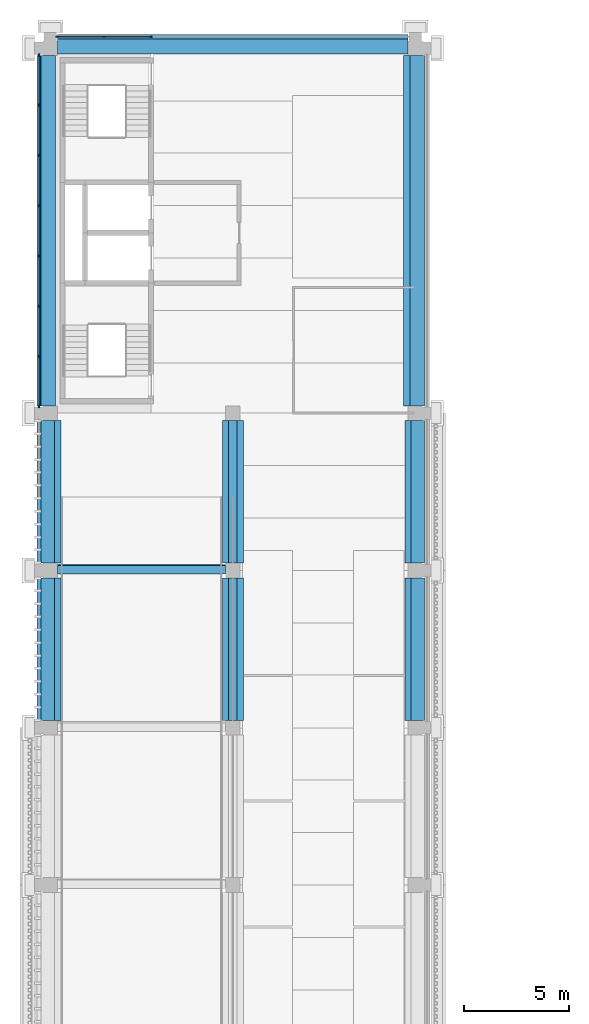
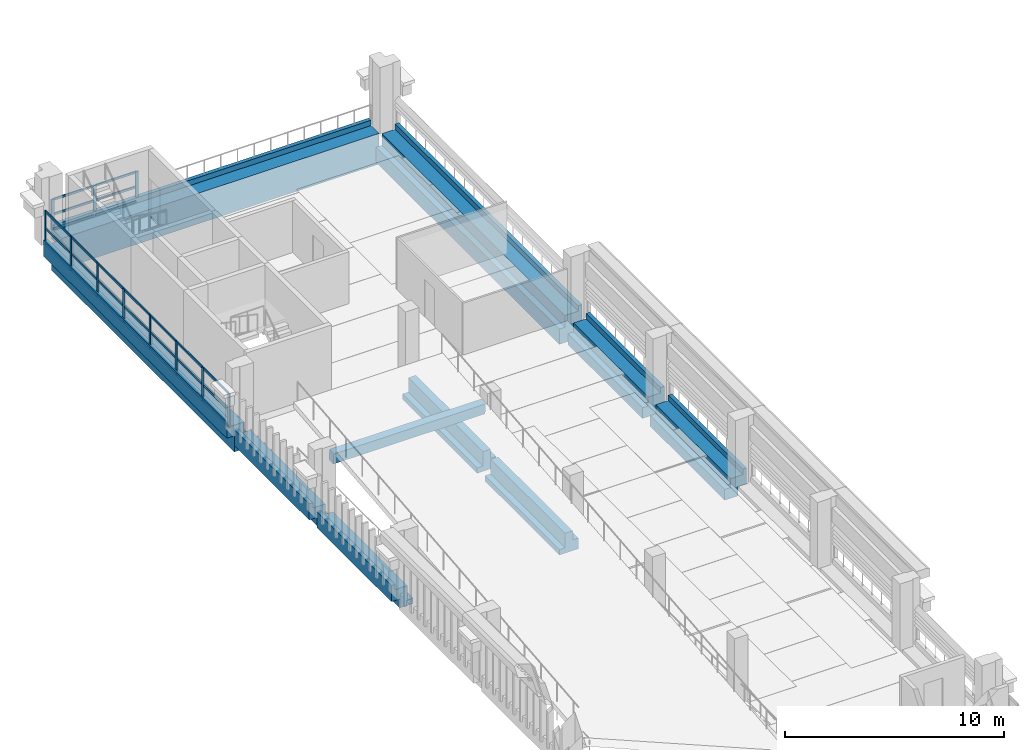
# One storey, part 3 of 25: 38 members, 10 beams, 2 elements without a shape of their own.
"""IFC4 building model written with IfcOpenShell, lengths in metres."""

from ifc_helpers import new_model, si_unit, direction, frame, origin, origin_2d, place, context, subcontext, project, spatial, polyline, rectangle, outline, extrude, material, layer, layer_set, material_profile, profile_set, type_object, element, aggregate, save


model = new_model("IFC4")

# Units and contexts
model_context = context("Model", 3, precision=1e-05, world=origin(), true_north=direction((0.0, 1.0)))
body_context = subcontext(model_context, "Body", "Model", "MODEL_VIEW")
ifc_project = project(units=[si_unit("LENGTHUNIT", "METRE"), si_unit("AREAUNIT", "SQUARE_METRE"), si_unit("VOLUMEUNIT", "CUBIC_METRE"), si_unit("PLANEANGLEUNIT", "RADIAN"), si_unit("MASSUNIT", "GRAM", prefix="KILO")], contexts=[model_context])

# Site, building, storey
site_placement = place(None, origin())
site = spatial("IfcSite", under=ifc_project, at=site_placement, CompositionType="ELEMENT")
building_placement = place(site_placement, origin())
building = spatial("IfcBuilding", under=site, at=building_placement, Name="Cour d'Honneur Mobility Palace", CompositionType="ELEMENT")
storey_placement = place(building_placement, frame((0.0, 0.0, 30.39990234375)))
storey = spatial("IfcBuildingStorey", under=building, at=storey_placement, Name="L08", CompositionType="ELEMENT", Elevation=30.39990234375)

# Curtain wall, members
ifc_material_1 = material(Name="Aluminium and glass", Category="aluminium")
ifc_layer = layer(ifc_material_1, 0.10009765625)
ifc_layer_set = layer_set([ifc_layer], Name="Aluminium and glass")
curtain_wall_type = type_object("IfcCurtainWallType", Name="Curtain wall run", PredefinedType="NOTDEFINED", material=ifc_layer_set)
curtain_wall_1_placement = place(storey_placement, origin())
curtain_wall_1 = element("IfcCurtainWall", 1, at=curtain_wall_1_placement, inside=storey, type_object=curtain_wall_type, Name="Curtain wall CW-110", PredefinedType="NOTDEFINED")
ifc_material_2 = material(Name="Aluminium", Category="aluminium")
ifc_material_profile_1 = material_profile(ifc_material_2, rectangle(XDim=0.06005859375, YDim=0.159912109375, at=origin_2d()), Name="Curtain wall mullion")
ifc_profile_set_1 = profile_set([ifc_material_profile_1], Name="Aluminium")
member_type_1 = type_object("IfcMemberType", Name="Curtain wall mullion", PredefinedType="MULLION", material=ifc_profile_set_1)
member_1_placement = place(storey_placement, frame((4.77001953125, 62.949951171875, 0.0), z_axis=(0.0, 0.0, 1.0), x_axis=(0.0, -1.0, 0.0)))
member_1 = element("IfcMember", 2, at=member_1_placement, type_object=member_type_1, Name="CW-110 mullion 1", PredefinedType="MULLION", context=body_context, shape_type="SweptSolid", body=[
    extrude(rectangle(XDim=0.06005859375, YDim=0.159912109375, at=origin_2d()), origin(), (0.0, 0.0, 1.0), 1.7001953125),
])
member_2_placement = place(storey_placement, frame((2.550048828125, 62.949951171875, 0.0), z_axis=(0.0, 0.0, 1.0), x_axis=(0.0, -1.0, 0.0)))
member_2 = element("IfcMember", 3, at=member_2_placement, type_object=member_type_1, Name="CW-110 mullion 2", PredefinedType="MULLION", context=body_context, shape_type="SweptSolid", body=[
    extrude(rectangle(XDim=0.06005859375, YDim=0.159912109375, at=origin_2d()), origin(), (0.0, 0.0, 1.0), 1.7001953125),
])
member_3_placement = place(storey_placement, frame((0.330078125, 62.949951171875, 0.0), z_axis=(0.0, 0.0, 1.0), x_axis=(0.0, -1.0, 0.0)))
member_3 = element("IfcMember", 4, at=member_3_placement, type_object=member_type_1, Name="CW-110 mullion 3", PredefinedType="MULLION", context=body_context, shape_type="SweptSolid", body=[
    extrude(rectangle(XDim=0.06005859375, YDim=0.159912109375, at=origin_2d()), origin(), (0.0, 0.0, 1.0), 1.7001953125),
])

curtain_wall_2_placement = place(storey_placement, origin())
curtain_wall_2 = element("IfcCurtainWall", 5, at=curtain_wall_2_placement, inside=storey, type_object=curtain_wall_type, Name="Curtain wall CW-111", PredefinedType="NOTDEFINED")
member_4_placement = place(storey_placement, frame((-0.550048828125, 62.070068359375, 0.0), z_axis=(0.0, 0.0, 1.0), x_axis=(1.0, 0.0, 0.0)))
member_4 = element("IfcMember", 6, at=member_4_placement, type_object=member_type_1, Name="CW-111 mullion 1", PredefinedType="MULLION", context=body_context, shape_type="SweptSolid", body=[
    extrude(rectangle(XDim=0.06005859375, YDim=0.159912109375, at=origin_2d()), origin(), (0.0, 0.0, 1.0), 1.900146484375),
])
member_5_placement = place(storey_placement, frame((-0.550048828125, 59.699951171875, 0.0), z_axis=(0.0, 0.0, 1.0), x_axis=(1.0, 0.0, 0.0)))
member_5 = element("IfcMember", 7, at=member_5_placement, type_object=member_type_1, Name="CW-111 mullion 2", PredefinedType="MULLION", context=body_context, shape_type="SweptSolid", body=[
    extrude(rectangle(XDim=0.06005859375, YDim=0.159912109375, at=origin_2d()), origin(), (0.0, 0.0, 1.0), 1.900146484375),
])
member_6_placement = place(storey_placement, frame((-0.550048828125, 57.300048828125, 0.0), z_axis=(0.0, 0.0, 1.0), x_axis=(1.0, 0.0, 0.0)))
member_6 = element("IfcMember", 8, at=member_6_placement, type_object=member_type_1, Name="CW-111 mullion 3", PredefinedType="MULLION", context=body_context, shape_type="SweptSolid", body=[
    extrude(rectangle(XDim=0.06005859375, YDim=0.159912109375, at=origin_2d()), origin(), (0.0, 0.0, 1.0), 1.900146484375),
])
member_7_placement = place(storey_placement, frame((-0.550048828125, 54.89990234375, 0.0), z_axis=(0.0, 0.0, 1.0), x_axis=(1.0, 0.0, 0.0)))
member_7 = element("IfcMember", 9, at=member_7_placement, type_object=member_type_1, Name="CW-111 mullion 4", PredefinedType="MULLION", context=body_context, shape_type="SweptSolid", body=[
    extrude(rectangle(XDim=0.06005859375, YDim=0.159912109375, at=origin_2d()), origin(), (0.0, 0.0, 1.0), 1.900146484375),
])
member_8_placement = place(storey_placement, frame((-0.550048828125, 52.5, 0.0), z_axis=(0.0, 0.0, 1.0), x_axis=(1.0, 0.0, 0.0)))
member_8 = element("IfcMember", 10, at=member_8_placement, type_object=member_type_1, Name="CW-111 mullion 5", PredefinedType="MULLION", context=body_context, shape_type="SweptSolid", body=[
    extrude(rectangle(XDim=0.06005859375, YDim=0.159912109375, at=origin_2d()), origin(), (0.0, 0.0, 1.0), 1.900146484375),
])
member_9_placement = place(storey_placement, frame((-0.550048828125, 50.10009765625, 0.0), z_axis=(0.0, 0.0, 1.0), x_axis=(1.0, 0.0, 0.0)))
member_9 = element("IfcMember", 11, at=member_9_placement, type_object=member_type_1, Name="CW-111 mullion 6", PredefinedType="MULLION", context=body_context, shape_type="SweptSolid", body=[
    extrude(rectangle(XDim=0.06005859375, YDim=0.159912109375, at=origin_2d()), origin(), (0.0, 0.0, 1.0), 1.900146484375),
])
member_10_placement = place(storey_placement, frame((-0.550048828125, 47.699951171875, 0.0), z_axis=(0.0, 0.0, 1.0), x_axis=(1.0, 0.0, 0.0)))
member_10 = element("IfcMember", 12, at=member_10_placement, type_object=member_type_1, Name="CW-111 mullion 7", PredefinedType="MULLION", context=body_context, shape_type="SweptSolid", body=[
    extrude(rectangle(XDim=0.06005859375, YDim=0.159912109375, at=origin_2d()), origin(), (0.0, 0.0, 1.0), 1.900146484375),
])
member_11_placement = place(storey_placement, frame((-0.550048828125, 45.330078125, 0.0), z_axis=(0.0, 0.0, 1.0), x_axis=(1.0, 0.0, 0.0)))
member_11 = element("IfcMember", 13, at=member_11_placement, type_object=member_type_1, Name="CW-111 mullion 8", PredefinedType="MULLION", context=body_context, shape_type="SweptSolid", body=[
    extrude(rectangle(XDim=0.06005859375, YDim=0.159912109375, at=origin_2d()), origin(), (0.0, 0.0, 1.0), 1.900146484375),
])

# Member
ifc_material_3 = material(Name="Aluminium", Category="aluminium")
ifc_material_profile_2 = material_profile(ifc_material_3, rectangle(XDim=0.06005859375, YDim=0.1201171875, at=origin_2d()), Name="Curtain wall transom")
ifc_profile_set_2 = profile_set([ifc_material_profile_2], Name="Aluminium")
member_type_2 = type_object("IfcMemberType", Name="Curtain wall transom", PredefinedType="USERDEFINED", material=ifc_profile_set_2)
member_12_placement = place(storey_placement, frame((4.739990234375, 62.949951171875, 0.030029296875), z_axis=(-1.0, 0.0, 0.0), x_axis=(0.0, -1.0, 0.0)))
member_12 = element("IfcMember", 14, at=member_12_placement, type_object=member_type_2, Name="CW-110 transom 1.1", ObjectType="TRANSOM", PredefinedType="USERDEFINED", context=body_context, shape_type="SweptSolid", body=[
    extrude(rectangle(XDim=0.06005859375, YDim=0.1201171875, at=origin_2d()), origin(), (0.0, 0.0, 1.0), 2.159912109375),
])

member_13_placement = place(storey_placement, frame((4.739990234375, 62.949951171875, 0.85009765625), z_axis=(-1.0, 0.0, 0.0), x_axis=(0.0, -1.0, 0.0)))
member_13 = element("IfcMember", 15, at=member_13_placement, type_object=member_type_2, Name="CW-110 transom 1.2", ObjectType="TRANSOM", PredefinedType="USERDEFINED", context=body_context, shape_type="SweptSolid", body=[
    extrude(rectangle(XDim=0.06005859375, YDim=0.1201171875, at=origin_2d()), origin(), (0.0, 0.0, 1.0), 2.159912109375),
])

member_14_placement = place(storey_placement, frame((4.739990234375, 62.949951171875, 1.670166015625), z_axis=(-1.0, 0.0, 0.0), x_axis=(0.0, -1.0, 0.0)))
member_14 = element("IfcMember", 16, at=member_14_placement, type_object=member_type_2, Name="CW-110 transom 1.3", ObjectType="TRANSOM", PredefinedType="USERDEFINED", context=body_context, shape_type="SweptSolid", body=[
    extrude(rectangle(XDim=0.06005859375, YDim=0.1201171875, at=origin_2d()), origin(), (0.0, 0.0, 1.0), 2.159912109375),
])

member_15_placement = place(storey_placement, frame((2.52001953125, 62.949951171875, 0.030029296875), z_axis=(-1.0, 0.0, 0.0), x_axis=(0.0, -1.0, 0.0)))
member_15 = element("IfcMember", 17, at=member_15_placement, type_object=member_type_2, Name="CW-110 transom 2.1", ObjectType="TRANSOM", PredefinedType="USERDEFINED", context=body_context, shape_type="SweptSolid", body=[
    extrude(rectangle(XDim=0.06005859375, YDim=0.1201171875, at=origin_2d()), origin(), (0.0, 0.0, 1.0), 2.159912109375),
])

member_16_placement = place(storey_placement, frame((2.52001953125, 62.949951171875, 0.85009765625), z_axis=(-1.0, 0.0, 0.0), x_axis=(0.0, -1.0, 0.0)))
member_16 = element("IfcMember", 18, at=member_16_placement, type_object=member_type_2, Name="CW-110 transom 2.2", ObjectType="TRANSOM", PredefinedType="USERDEFINED", context=body_context, shape_type="SweptSolid", body=[
    extrude(rectangle(XDim=0.06005859375, YDim=0.1201171875, at=origin_2d()), origin(), (0.0, 0.0, 1.0), 2.159912109375),
])

member_17_placement = place(storey_placement, frame((2.52001953125, 62.949951171875, 1.670166015625), z_axis=(-1.0, 0.0, 0.0), x_axis=(0.0, -1.0, 0.0)))
member_17 = element("IfcMember", 19, at=member_17_placement, type_object=member_type_2, Name="CW-110 transom 2.3", ObjectType="TRANSOM", PredefinedType="USERDEFINED", context=body_context, shape_type="SweptSolid", body=[
    extrude(rectangle(XDim=0.06005859375, YDim=0.1201171875, at=origin_2d()), origin(), (0.0, 0.0, 1.0), 2.159912109375),
])

aggregate(curtain_wall_1, [member_1, member_2, member_3, member_12, member_13, member_14, member_15, member_16, member_17])

member_18_placement = place(storey_placement, frame((-0.550048828125, 62.0400390625, 0.030029296875), z_axis=(0.0, -1.0, 0.0), x_axis=(1.0, 0.0, 0.0)))
member_18 = element("IfcMember", 20, at=member_18_placement, type_object=member_type_2, Name="CW-111 transom 1.1", ObjectType="TRANSOM", PredefinedType="USERDEFINED", context=body_context, shape_type="SweptSolid", body=[
    extrude(rectangle(XDim=0.06005859375, YDim=0.1201171875, at=origin_2d()), origin(), (0.0, 0.0, 1.0), 2.31005859375),
])

member_19_placement = place(storey_placement, frame((-0.550048828125, 62.0400390625, 0.9501953125), z_axis=(0.0, -1.0, 0.0), x_axis=(1.0, 0.0, 0.0)))
member_19 = element("IfcMember", 21, at=member_19_placement, type_object=member_type_2, Name="CW-111 transom 1.2", ObjectType="TRANSOM", PredefinedType="USERDEFINED", context=body_context, shape_type="SweptSolid", body=[
    extrude(rectangle(XDim=0.06005859375, YDim=0.1201171875, at=origin_2d()), origin(), (0.0, 0.0, 1.0), 2.31005859375),
])

member_20_placement = place(storey_placement, frame((-0.550048828125, 62.0400390625, 1.8701171875), z_axis=(0.0, -1.0, 0.0), x_axis=(1.0, 0.0, 0.0)))
member_20 = element("IfcMember", 22, at=member_20_placement, type_object=member_type_2, Name="CW-111 transom 1.3", ObjectType="TRANSOM", PredefinedType="USERDEFINED", context=body_context, shape_type="SweptSolid", body=[
    extrude(rectangle(XDim=0.06005859375, YDim=0.1201171875, at=origin_2d()), origin(), (0.0, 0.0, 1.0), 2.31005859375),
])

member_21_placement = place(storey_placement, frame((-0.550048828125, 59.669921875, 0.030029296875), z_axis=(0.0, -1.0, 0.0), x_axis=(1.0, 0.0, 0.0)))
member_21 = element("IfcMember", 23, at=member_21_placement, type_object=member_type_2, Name="CW-111 transom 2.1", ObjectType="TRANSOM", PredefinedType="USERDEFINED", context=body_context, shape_type="SweptSolid", body=[
    extrude(rectangle(XDim=0.06005859375, YDim=0.1201171875, at=origin_2d()), origin(), (0.0, 0.0, 1.0), 2.33984375),
])

member_22_placement = place(storey_placement, frame((-0.550048828125, 59.669921875, 0.9501953125), z_axis=(0.0, -1.0, 0.0), x_axis=(1.0, 0.0, 0.0)))
member_22 = element("IfcMember", 24, at=member_22_placement, type_object=member_type_2, Name="CW-111 transom 2.2", ObjectType="TRANSOM", PredefinedType="USERDEFINED", context=body_context, shape_type="SweptSolid", body=[
    extrude(rectangle(XDim=0.06005859375, YDim=0.1201171875, at=origin_2d()), origin(), (0.0, 0.0, 1.0), 2.33984375),
])

member_23_placement = place(storey_placement, frame((-0.550048828125, 59.669921875, 1.8701171875), z_axis=(0.0, -1.0, 0.0), x_axis=(1.0, 0.0, 0.0)))
member_23 = element("IfcMember", 25, at=member_23_placement, type_object=member_type_2, Name="CW-111 transom 2.3", ObjectType="TRANSOM", PredefinedType="USERDEFINED", context=body_context, shape_type="SweptSolid", body=[
    extrude(rectangle(XDim=0.06005859375, YDim=0.1201171875, at=origin_2d()), origin(), (0.0, 0.0, 1.0), 2.33984375),
])

member_24_placement = place(storey_placement, frame((-0.550048828125, 57.27001953125, 0.030029296875), z_axis=(0.0, -1.0, 0.0), x_axis=(1.0, 0.0, 0.0)))
member_24 = element("IfcMember", 26, at=member_24_placement, type_object=member_type_2, Name="CW-111 transom 3.1", ObjectType="TRANSOM", PredefinedType="USERDEFINED", context=body_context, shape_type="SweptSolid", body=[
    extrude(rectangle(XDim=0.06005859375, YDim=0.1201171875, at=origin_2d()), origin(), (0.0, 0.0, 1.0), 2.340087890625),
])

member_25_placement = place(storey_placement, frame((-0.550048828125, 57.27001953125, 0.9501953125), z_axis=(0.0, -1.0, 0.0), x_axis=(1.0, 0.0, 0.0)))
member_25 = element("IfcMember", 27, at=member_25_placement, type_object=member_type_2, Name="CW-111 transom 3.2", ObjectType="TRANSOM", PredefinedType="USERDEFINED", context=body_context, shape_type="SweptSolid", body=[
    extrude(rectangle(XDim=0.06005859375, YDim=0.1201171875, at=origin_2d()), origin(), (0.0, 0.0, 1.0), 2.340087890625),
])

member_26_placement = place(storey_placement, frame((-0.550048828125, 57.27001953125, 1.8701171875), z_axis=(0.0, -1.0, 0.0), x_axis=(1.0, 0.0, 0.0)))
member_26 = element("IfcMember", 28, at=member_26_placement, type_object=member_type_2, Name="CW-111 transom 3.3", ObjectType="TRANSOM", PredefinedType="USERDEFINED", context=body_context, shape_type="SweptSolid", body=[
    extrude(rectangle(XDim=0.06005859375, YDim=0.1201171875, at=origin_2d()), origin(), (0.0, 0.0, 1.0), 2.340087890625),
])

member_27_placement = place(storey_placement, frame((-0.550048828125, 54.8701171875, 0.030029296875), z_axis=(0.0, -1.0, 0.0), x_axis=(1.0, 0.0, 0.0)))
member_27 = element("IfcMember", 29, at=member_27_placement, type_object=member_type_2, Name="CW-111 transom 4.1", ObjectType="TRANSOM", PredefinedType="USERDEFINED", context=body_context, shape_type="SweptSolid", body=[
    extrude(rectangle(XDim=0.06005859375, YDim=0.1201171875, at=origin_2d()), origin(), (0.0, 0.0, 1.0), 2.340087890625),
])

member_28_placement = place(storey_placement, frame((-0.550048828125, 54.8701171875, 0.9501953125), z_axis=(0.0, -1.0, 0.0), x_axis=(1.0, 0.0, 0.0)))
member_28 = element("IfcMember", 30, at=member_28_placement, type_object=member_type_2, Name="CW-111 transom 4.2", ObjectType="TRANSOM", PredefinedType="USERDEFINED", context=body_context, shape_type="SweptSolid", body=[
    extrude(rectangle(XDim=0.06005859375, YDim=0.1201171875, at=origin_2d()), origin(), (0.0, 0.0, 1.0), 2.340087890625),
])

member_29_placement = place(storey_placement, frame((-0.550048828125, 54.8701171875, 1.8701171875), z_axis=(0.0, -1.0, 0.0), x_axis=(1.0, 0.0, 0.0)))
member_29 = element("IfcMember", 31, at=member_29_placement, type_object=member_type_2, Name="CW-111 transom 4.3", ObjectType="TRANSOM", PredefinedType="USERDEFINED", context=body_context, shape_type="SweptSolid", body=[
    extrude(rectangle(XDim=0.06005859375, YDim=0.1201171875, at=origin_2d()), origin(), (0.0, 0.0, 1.0), 2.340087890625),
])

member_30_placement = place(storey_placement, frame((-0.550048828125, 52.469970703125, 0.030029296875), z_axis=(0.0, -1.0, 0.0), x_axis=(1.0, 0.0, 0.0)))
member_30 = element("IfcMember", 32, at=member_30_placement, type_object=member_type_2, Name="CW-111 transom 5.1", ObjectType="TRANSOM", PredefinedType="USERDEFINED", context=body_context, shape_type="SweptSolid", body=[
    extrude(rectangle(XDim=0.06005859375, YDim=0.1201171875, at=origin_2d()), origin(), (0.0, 0.0, 1.0), 2.340087890625),
])

member_31_placement = place(storey_placement, frame((-0.550048828125, 52.469970703125, 0.9501953125), z_axis=(0.0, -1.0, 0.0), x_axis=(1.0, 0.0, 0.0)))
member_31 = element("IfcMember", 33, at=member_31_placement, type_object=member_type_2, Name="CW-111 transom 5.2", ObjectType="TRANSOM", PredefinedType="USERDEFINED", context=body_context, shape_type="SweptSolid", body=[
    extrude(rectangle(XDim=0.06005859375, YDim=0.1201171875, at=origin_2d()), origin(), (0.0, 0.0, 1.0), 2.340087890625),
])

member_32_placement = place(storey_placement, frame((-0.550048828125, 52.469970703125, 1.8701171875), z_axis=(0.0, -1.0, 0.0), x_axis=(1.0, 0.0, 0.0)))
member_32 = element("IfcMember", 34, at=member_32_placement, type_object=member_type_2, Name="CW-111 transom 5.3", ObjectType="TRANSOM", PredefinedType="USERDEFINED", context=body_context, shape_type="SweptSolid", body=[
    extrude(rectangle(XDim=0.06005859375, YDim=0.1201171875, at=origin_2d()), origin(), (0.0, 0.0, 1.0), 2.340087890625),
])

member_33_placement = place(storey_placement, frame((-0.550048828125, 50.070068359375, 0.030029296875), z_axis=(0.0, -1.0, 0.0), x_axis=(1.0, 0.0, 0.0)))
member_33 = element("IfcMember", 35, at=member_33_placement, type_object=member_type_2, Name="CW-111 transom 6.1", ObjectType="TRANSOM", PredefinedType="USERDEFINED", context=body_context, shape_type="SweptSolid", body=[
    extrude(rectangle(XDim=0.06005859375, YDim=0.1201171875, at=origin_2d()), origin(), (0.0, 0.0, 1.0), 2.340087890625),
])

member_34_placement = place(storey_placement, frame((-0.550048828125, 50.070068359375, 0.9501953125), z_axis=(0.0, -1.0, 0.0), x_axis=(1.0, 0.0, 0.0)))
member_34 = element("IfcMember", 36, at=member_34_placement, type_object=member_type_2, Name="CW-111 transom 6.2", ObjectType="TRANSOM", PredefinedType="USERDEFINED", context=body_context, shape_type="SweptSolid", body=[
    extrude(rectangle(XDim=0.06005859375, YDim=0.1201171875, at=origin_2d()), origin(), (0.0, 0.0, 1.0), 2.340087890625),
])

member_35_placement = place(storey_placement, frame((-0.550048828125, 50.070068359375, 1.8701171875), z_axis=(0.0, -1.0, 0.0), x_axis=(1.0, 0.0, 0.0)))
member_35 = element("IfcMember", 37, at=member_35_placement, type_object=member_type_2, Name="CW-111 transom 6.3", ObjectType="TRANSOM", PredefinedType="USERDEFINED", context=body_context, shape_type="SweptSolid", body=[
    extrude(rectangle(XDim=0.06005859375, YDim=0.1201171875, at=origin_2d()), origin(), (0.0, 0.0, 1.0), 2.340087890625),
])

member_36_placement = place(storey_placement, frame((-0.550048828125, 47.669921875, 0.030029296875), z_axis=(0.0, -1.0, 0.0), x_axis=(1.0, 0.0, 0.0)))
member_36 = element("IfcMember", 38, at=member_36_placement, type_object=member_type_2, Name="CW-111 transom 7.1", ObjectType="TRANSOM", PredefinedType="USERDEFINED", context=body_context, shape_type="SweptSolid", body=[
    extrude(rectangle(XDim=0.06005859375, YDim=0.1201171875, at=origin_2d()), origin(), (0.0, 0.0, 1.0), 2.309814453125),
])

member_37_placement = place(storey_placement, frame((-0.550048828125, 47.669921875, 0.9501953125), z_axis=(0.0, -1.0, 0.0), x_axis=(1.0, 0.0, 0.0)))
member_37 = element("IfcMember", 39, at=member_37_placement, type_object=member_type_2, Name="CW-111 transom 7.2", ObjectType="TRANSOM", PredefinedType="USERDEFINED", context=body_context, shape_type="SweptSolid", body=[
    extrude(rectangle(XDim=0.06005859375, YDim=0.1201171875, at=origin_2d()), origin(), (0.0, 0.0, 1.0), 2.309814453125),
])

member_38_placement = place(storey_placement, frame((-0.550048828125, 47.669921875, 1.8701171875), z_axis=(0.0, -1.0, 0.0), x_axis=(1.0, 0.0, 0.0)))
member_38 = element("IfcMember", 40, at=member_38_placement, type_object=member_type_2, Name="CW-111 transom 7.3", ObjectType="TRANSOM", PredefinedType="USERDEFINED", context=body_context, shape_type="SweptSolid", body=[
    extrude(rectangle(XDim=0.06005859375, YDim=0.1201171875, at=origin_2d()), origin(), (0.0, 0.0, 1.0), 2.309814453125),
])

aggregate(curtain_wall_2, [member_4, member_5, member_6, member_7, member_8, member_9, member_10, member_11, member_18, member_19, member_20, member_21, member_22, member_23, member_24, member_25, member_26, member_27, member_28, member_29, member_30, member_31, member_32, member_33, member_34, member_35, member_36, member_37, member_38])

# Beams
ifc_material_4 = material(Name="Concrete C45", Category="concrete")
ifc_material_profile_3 = material_profile(ifc_material_4, outline(polyline([(0.27490234375, -1.699951171875), (0.27490234375, -0.60009765625), (0.64990234375, -0.60009765625), (0.64990234375, 0.300048828125), (0.449951171875, 0.300048828125), (0.449951171875, 0.0), (0.27490234375, 0.0), (-0.27490234375, 0.0), (-0.27490234375, -1.699951171875), (0.27490234375, -1.699951171875)])), Name="Edge Spandrel Beam 550x1700 no ledge facade left")
ifc_profile_set_3 = profile_set([ifc_material_profile_3], Name="Concrete C45")
beam_type_1 = type_object("IfcBeamType", Name="Edge Spandrel Beam 550x1700 no ledge facade left", PredefinedType="SPANDREL", material=ifc_profile_set_3)
beam_1_placement = place(storey_placement, frame((0.35009765625, 62.39990234375, 0.0), z_axis=(1.0, 0.0, 0.0), x_axis=(0.0, 1.0, 0.0)))
element("IfcBeam", 41, at=beam_1_placement, inside=storey, type_object=beam_type_1, Name="Precast beam B7 1-2 L08", PredefinedType="SPANDREL", context=body_context, shape_type="SweptSolid", body=[
    extrude(outline(polyline([(0.27490234375, -1.699951171875), (0.27490234375, -0.60009765625), (0.64990234375, -0.60009765625), (0.64990234375, 0.300048828125), (0.449951171875, 0.300048828125), (0.449951171875, 0.0), (0.27490234375, 0.0), (-0.27490234375, 0.0), (-0.27490234375, -1.699951171875), (0.27490234375, -1.699951171875)])), origin(), (0.0, 0.0, 1.0), 16.699951171875),
])
ifc_material_5 = material(Name="Concrete C45", Category="concrete")
ifc_material_profile_4 = material_profile(ifc_material_5, outline(polyline([(0.5, -1.10009765625), (0.5, -0.800048828125), (0.199951171875, -0.800048828125), (0.199951171875, 0.0), (-0.199951171875, 0.0), (-0.199951171875, -0.5), (-0.5, -0.5), (-0.5, -1.10009765625), (0.5, -1.10009765625)])), Name="Inverted Tee Beam 400x1100 ledges 300/600 plain")
ifc_profile_set_4 = profile_set([ifc_material_profile_4], Name="Concrete C45")
beam_type_2 = type_object("IfcBeamType", Name="Inverted Tee Beam 400x1100 ledges 300/600 plain", PredefinedType="T_BEAM", material=ifc_profile_set_4)
for number, where, z_axis, x_axis, name in (
    (42, (8.699951171875, 30.35009765625, 0.0), (0.0, 1.0, 0.0), (-1.0, 0.0, 0.0), "Precast beam B11 E-F L08"),
    (43, (8.699951171875, 37.85009765625, 0.0), (0.0, 1.0, 0.0), (-1.0, 0.0, 0.0), "Precast beam B11 F-G L08"),
):
    element("IfcBeam", number, at=place(storey_placement, frame(where, z_axis=z_axis, x_axis=x_axis)), inside=storey, type_object=beam_type_2, Name=name, PredefinedType="T_BEAM", context=body_context, shape_type="SweptSolid", body=[
        extrude(outline(polyline([(0.5, -1.10009765625), (0.5, -0.800048828125), (0.199951171875, -0.800048828125), (0.199951171875, 0.0), (-0.199951171875, 0.0), (-0.199951171875, -0.5), (-0.5, -0.5), (-0.5, -1.10009765625), (0.5, -1.10009765625)])), origin(), (0.0, 0.0, 1.0), 6.7998046875),
    ])
ifc_material_6 = material(Name="Concrete C45", Category="concrete")
ifc_material_profile_5 = material_profile(ifc_material_6, outline(polyline([(0.5, -1.10009765625), (0.5, -0.5), (0.199951171875, -0.5), (0.199951171875, 0.0), (-0.199951171875, 0.0), (-0.449951171875, 0.0), (-0.449951171875, 0.300048828125), (-0.64990234375, 0.300048828125), (-0.64990234375, -0.60009765625), (-0.199951171875, -0.60009765625), (-0.199951171875, -1.10009765625), (0.5, -1.10009765625)])), Name="Ledger Beam 400x1100 ledge left 600 facade right")
ifc_profile_set_5 = profile_set([ifc_material_profile_5], Name="Concrete C45")
beam_type_3 = type_object("IfcBeamType", Name="Ledger Beam 400x1100 ledge left 600 facade right", PredefinedType="BEAM", material=ifc_profile_set_5)
for number, where, z_axis, x_axis, name in (
    (44, (17.39990234375, 30.35009765625, 0.0), (0.0, 1.0, 0.0), (-1.0, 0.0, 0.0), "Precast beam B12 E-F L08"),
    (45, (17.39990234375, 37.85009765625, 0.0), (0.0, 1.0, 0.0), (-1.0, 0.0, 0.0), "Precast beam B12 F-G L08"),
):
    element("IfcBeam", number, at=place(storey_placement, frame(where, z_axis=z_axis, x_axis=x_axis)), inside=storey, type_object=beam_type_3, Name=name, PredefinedType="BEAM", context=body_context, shape_type="SweptSolid", body=[
        extrude(outline(polyline([(0.5, -1.10009765625), (0.5, -0.5), (0.199951171875, -0.5), (0.199951171875, 0.0), (-0.199951171875, 0.0), (-0.449951171875, 0.0), (-0.449951171875, 0.300048828125), (-0.64990234375, 0.300048828125), (-0.64990234375, -0.60009765625), (-0.199951171875, -0.60009765625), (-0.199951171875, -1.10009765625), (0.5, -1.10009765625)])), origin(), (0.0, 0.0, 1.0), 6.7998046875),
    ])
ifc_material_7 = material(Name="Concrete C45", Category="concrete")
ifc_material_profile_6 = material_profile(ifc_material_7, outline(polyline([(0.199951171875, -1.10009765625), (0.199951171875, -0.60009765625), (0.64990234375, -0.60009765625), (0.64990234375, 0.300048828125), (0.449951171875, 0.300048828125), (0.449951171875, 0.0), (0.199951171875, 0.0), (-0.199951171875, 0.0), (-0.199951171875, -0.800048828125), (-0.5, -0.800048828125), (-0.5, -1.10009765625), (0.199951171875, -1.10009765625)])), Name="Ledger Beam 400x1100 ledge right 300 facade left")
ifc_profile_set_6 = profile_set([ifc_material_profile_6], Name="Concrete C45")
beam_type_4 = type_object("IfcBeamType", Name="Ledger Beam 400x1100 ledge right 300 facade left", PredefinedType="BEAM", material=ifc_profile_set_6)
for number, where, z_axis, x_axis, name in (
    (46, (0.0, 30.35009765625, 0.0), (0.0, 1.0, 0.0), (-1.0, 0.0, 0.0), "Precast beam B6 E-F L08"),
    (47, (0.0, 37.85009765625, 0.0), (0.0, 1.0, 0.0), (-1.0, 0.0, 0.0), "Precast beam B6 F-G L08"),
):
    element("IfcBeam", number, at=place(storey_placement, frame(where, z_axis=z_axis, x_axis=x_axis)), inside=storey, type_object=beam_type_4, Name=name, PredefinedType="BEAM", context=body_context, shape_type="SweptSolid", body=[
        extrude(outline(polyline([(0.199951171875, -1.10009765625), (0.199951171875, -0.60009765625), (0.64990234375, -0.60009765625), (0.64990234375, 0.300048828125), (0.449951171875, 0.300048828125), (0.449951171875, 0.0), (0.199951171875, 0.0), (-0.199951171875, 0.0), (-0.199951171875, -0.800048828125), (-0.5, -0.800048828125), (-0.5, -1.10009765625), (0.199951171875, -1.10009765625)])), origin(), (0.0, 0.0, 1.0), 6.7998046875),
    ])
ifc_material_8 = material(Name="Concrete C45", Category="concrete")
ifc_material_profile_7 = material_profile(ifc_material_8, outline(polyline([(0.550048828125, -1.5), (0.550048828125, -0.64990234375), (0.25, -0.64990234375), (0.25, 0.0), (-0.25, 0.0), (-0.449951171875, 0.0), (-0.449951171875, 0.300048828125), (-0.64990234375, 0.300048828125), (-0.64990234375, -0.60009765625), (-0.25, -0.60009765625), (-0.25, -1.5), (0.550048828125, -1.5)])), Name="Ledger Beam 500x1500 ledge left 850 facade right")
ifc_profile_set_7 = profile_set([ifc_material_profile_7], Name="Concrete C45")
beam_type_5 = type_object("IfcBeamType", Name="Ledger Beam 500x1500 ledge left 850 facade right", PredefinedType="BEAM", material=ifc_profile_set_7)
beam_2_placement = place(storey_placement, frame((17.39990234375, 45.35009765625, 0.0), z_axis=(0.0, 1.0, 0.0), x_axis=(-1.0, 0.0, 0.0)))
element("IfcBeam", 48, at=beam_2_placement, inside=storey, type_object=beam_type_5, Name="Precast beam B23 G-H L08", PredefinedType="BEAM", context=body_context, shape_type="SweptSolid", body=[
    extrude(outline(polyline([(0.550048828125, -1.5), (0.550048828125, -0.64990234375), (0.25, -0.64990234375), (0.25, 0.0), (-0.25, 0.0), (-0.449951171875, 0.0), (-0.449951171875, 0.300048828125), (-0.64990234375, 0.300048828125), (-0.64990234375, -0.60009765625), (-0.25, -0.60009765625), (-0.25, -1.5), (0.550048828125, -1.5)])), origin(), (0.0, 0.0, 1.0), 16.699951171875),
])
ifc_material_9 = material(Name="Concrete C45", Category="concrete")
ifc_material_profile_8 = material_profile(ifc_material_9, outline(polyline([(0.25, -1.5), (0.25, -0.60009765625), (0.64990234375, -0.60009765625), (0.64990234375, 0.300048828125), (0.449951171875, 0.300048828125), (0.449951171875, 0.0), (0.25, 0.0), (-0.25, 0.0), (-0.25, -0.800048828125), (-0.550048828125, -0.800048828125), (-0.550048828125, -1.5), (0.25, -1.5)])), Name="Ledger Beam 500x1500 ledge right 700 facade left")
ifc_profile_set_8 = profile_set([ifc_material_profile_8], Name="Concrete C45")
beam_type_6 = type_object("IfcBeamType", Name="Ledger Beam 500x1500 ledge right 700 facade left", PredefinedType="BEAM", material=ifc_profile_set_8)
beam_3_placement = place(storey_placement, frame((0.0, 45.35009765625, 0.0), z_axis=(0.0, 1.0, 0.0), x_axis=(-1.0, 0.0, 0.0)))
element("IfcBeam", 49, at=beam_3_placement, inside=storey, type_object=beam_type_6, Name="Precast beam B8 G-H L08", PredefinedType="BEAM", context=body_context, shape_type="SweptSolid", body=[
    extrude(outline(polyline([(0.25, -1.5), (0.25, -0.60009765625), (0.64990234375, -0.60009765625), (0.64990234375, 0.300048828125), (0.449951171875, 0.300048828125), (0.449951171875, 0.0), (0.25, 0.0), (-0.25, 0.0), (-0.25, -0.800048828125), (-0.550048828125, -0.800048828125), (-0.550048828125, -1.5), (0.25, -1.5)])), origin(), (0.0, 0.0, 1.0), 16.699951171875),
])
ifc_material_10 = material(Name="Concrete C40", Category="concrete")
ifc_material_profile_9 = material_profile(ifc_material_10, rectangle(XDim=0.39990234375, YDim=0.60009765625, at=origin_2d()), Name="Ramp cross beam 400x600")
ifc_profile_set_9 = profile_set([ifc_material_profile_9], Name="Concrete C40")
beam_type_7 = type_object("IfcBeamType", Name="Ramp cross beam 400x600", PredefinedType="BEAM", material=ifc_profile_set_9)
beam_4_placement = place(storey_placement, frame((0.35009765625, 37.559814453125, 2.753173828125), z_axis=(1.0, 0.0, 0.0), x_axis=(0.0, 0.995037190449, 0.099503716633)))
element("IfcBeam", 50, at=beam_4_placement, inside=storey, type_object=beam_type_7, Name="Ramp cross beam SW.R8-5", PredefinedType="BEAM", context=body_context, shape_type="SweptSolid", body=[
    extrude(rectangle(XDim=0.39990234375, YDim=0.60009765625, at=origin_2d()), origin(), (0.0, 0.0, 1.0), 8.0),
])

save(model, "model.ifc")
